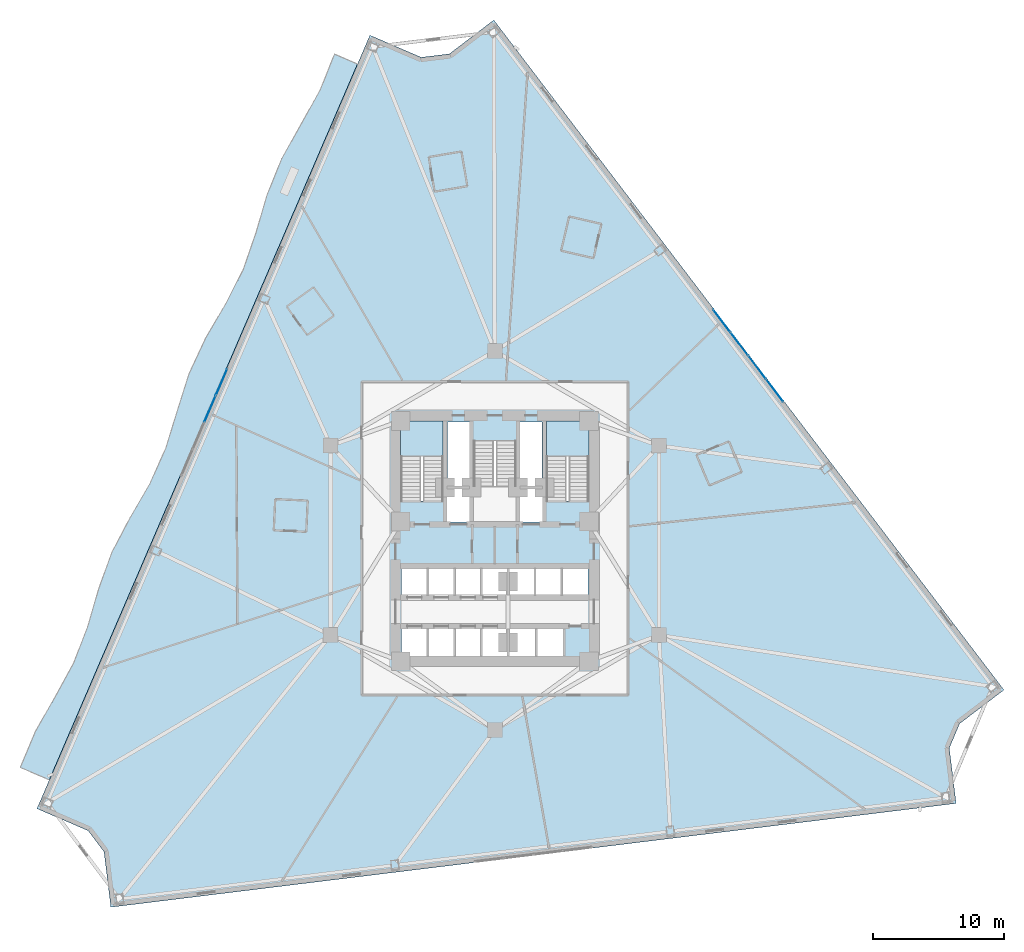
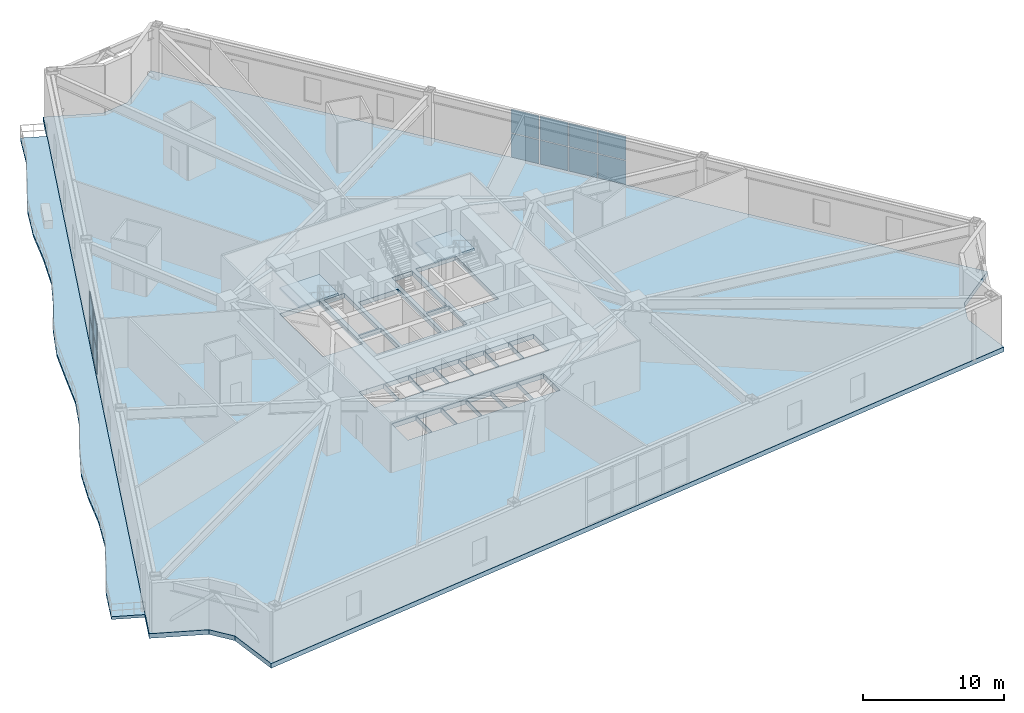
# One storey, part 9 of 21: 12 plates, 4 slabs, 4 elements without a shape of their own.
"""IFC4 building model written with IfcOpenShell, lengths in metres."""

from ifc_helpers import new_model, si_unit, direction, frame, origin, origin_2d, place, context, subcontext, project, spatial, polyline, rectangle, outline, extrude, material, layer, layer_set, type_object, element, aggregate, save


model = new_model("IFC4")

# Units and contexts
model_context = context("Model", 3, precision=1e-05, world=origin(), true_north=direction((0.0, 1.0)))
body_context = subcontext(model_context, "Body", "Model", "MODEL_VIEW")
ifc_project = project(units=[si_unit("LENGTHUNIT", "METRE"), si_unit("AREAUNIT", "SQUARE_METRE"), si_unit("VOLUMEUNIT", "CUBIC_METRE"), si_unit("PLANEANGLEUNIT", "RADIAN"), si_unit("MASSUNIT", "GRAM", prefix="KILO")], contexts=[model_context])

# Site, building, storey
site_placement = place(None, origin())
site = spatial("IfcSite", under=ifc_project, at=site_placement, CompositionType="ELEMENT")
building_placement = place(site_placement, origin())
building = spatial("IfcBuilding", under=site, at=building_placement, Name="Apsidion Concourse Tower", CompositionType="ELEMENT")
storey_placement = place(building_placement, frame((0.0, 0.0, 62.39990234375)))
storey = spatial("IfcBuildingStorey", under=building, at=storey_placement, Name="L13", CompositionType="ELEMENT", Elevation=62.39990234375)

# Curtain wall, plates
ifc_material_1 = material(Name="Insulated laminated low-E glass", Category="glass")
ifc_layer_1 = layer(ifc_material_1, 0.2099609375)
ifc_layer_set_1 = layer_set([ifc_layer_1], Name="Insulated laminated low-E glass")
curtain_wall_type = type_object("IfcCurtainWallType", Name="CW-SYS-03", PredefinedType="NOTDEFINED", material=ifc_layer_set_1)
curtain_wall_1_placement = place(storey_placement, origin())
curtain_wall_1 = element("IfcCurtainWall", 1, at=curtain_wall_1_placement, inside=storey, type_object=curtain_wall_type, Name="L13 Sky Lobby Curtain Wall 1", PredefinedType="NOTDEFINED")
ifc_layer_2 = layer(ifc_material_1, 0.031982421875)
ifc_layer_set_2 = layer_set([ifc_layer_2], Name="Insulated laminated low-E glass")
plate_type = type_object("IfcPlateType", Name="CWP-GLZ-32", PredefinedType="CURTAIN_PANEL", material=ifc_layer_set_2)
plate_1_placement = place(storey_placement, frame((17.3662109375, 16.815673828125, 0.06494140625), z_axis=(0.0, 0.0, 1.0), x_axis=(0.605876567556, -0.795558662128, 0.0)))
plate_1 = element("IfcPlate", 2, at=plate_1_placement, type_object=plate_type, Name="CW-03 panel 1.1", PredefinedType="CURTAIN_PANEL", context=body_context, shape_type="SweptSolid", body=[
    extrude(rectangle(XDim=2.14453125, YDim=0.031982421875, at=origin_2d()), origin(), (0.0, 0.0, 1.0), 2.052490234375),
])
plate_2_placement = place(storey_placement, frame((17.3662109375, 16.815673828125, 2.1826171875), z_axis=(0.0, 0.0, 1.0), x_axis=(0.605876567556, -0.795558662128, 0.0)))
plate_2 = element("IfcPlate", 3, at=plate_2_placement, type_object=plate_type, Name="CW-03 panel 1.2", PredefinedType="CURTAIN_PANEL", context=body_context, shape_type="SweptSolid", body=[
    extrude(rectangle(XDim=2.14453125, YDim=0.031982421875, at=origin_2d()), origin(), (0.0, 0.0, 1.0), 2.052490234375),
])
plate_3_placement = place(storey_placement, frame((18.71484375, 15.044921875, 0.06494140625), z_axis=(0.0, 0.0, 1.0), x_axis=(0.605876567556, -0.795558662128, 0.0)))
plate_3 = element("IfcPlate", 4, at=plate_3_placement, type_object=plate_type, Name="CW-03 panel 2.1", PredefinedType="CURTAIN_PANEL", context=body_context, shape_type="SweptSolid", body=[
    extrude(rectangle(XDim=2.177001953125, YDim=0.031982421875, at=origin_2d()), origin(), (0.0, 0.0, 1.0), 2.052490234375),
])
plate_4_placement = place(storey_placement, frame((18.71484375, 15.044921875, 2.1826171875), z_axis=(0.0, 0.0, 1.0), x_axis=(0.605876567556, -0.795558662128, 0.0)))
plate_4 = element("IfcPlate", 5, at=plate_4_placement, type_object=plate_type, Name="CW-03 panel 2.2", PredefinedType="CURTAIN_PANEL", context=body_context, shape_type="SweptSolid", body=[
    extrude(rectangle(XDim=2.177001953125, YDim=0.031982421875, at=origin_2d()), origin(), (0.0, 0.0, 1.0), 2.052490234375),
])
plate_5_placement = place(storey_placement, frame((20.0732421875, 13.26123046875, 0.06494140625), z_axis=(0.0, 0.0, 1.0), x_axis=(0.605876567556, -0.795558662128, 0.0)))
plate_5 = element("IfcPlate", 6, at=plate_5_placement, type_object=plate_type, Name="CW-03 panel 3.1", PredefinedType="CURTAIN_PANEL", context=body_context, shape_type="SweptSolid", body=[
    extrude(rectangle(XDim=2.177001953125, YDim=0.031982421875, at=origin_2d()), origin(), (0.0, 0.0, 1.0), 2.052490234375),
])
plate_6_placement = place(storey_placement, frame((20.0732421875, 13.26123046875, 2.1826171875), z_axis=(0.0, 0.0, 1.0), x_axis=(0.605876567556, -0.795558662128, 0.0)))
plate_6 = element("IfcPlate", 7, at=plate_6_placement, type_object=plate_type, Name="CW-03 panel 3.2", PredefinedType="CURTAIN_PANEL", context=body_context, shape_type="SweptSolid", body=[
    extrude(rectangle(XDim=2.177001953125, YDim=0.031982421875, at=origin_2d()), origin(), (0.0, 0.0, 1.0), 2.052490234375),
])
plate_7_placement = place(storey_placement, frame((21.421875, 11.490478515625, 0.06494140625), z_axis=(0.0, 0.0, 1.0), x_axis=(0.605876567556, -0.795558662128, 0.0)))
plate_7 = element("IfcPlate", 8, at=plate_7_placement, type_object=plate_type, Name="CW-03 panel 4.1", PredefinedType="CURTAIN_PANEL", context=body_context, shape_type="SweptSolid", body=[
    extrude(rectangle(XDim=2.14453125, YDim=0.031982421875, at=origin_2d()), origin(), (0.0, 0.0, 1.0), 2.052490234375),
])
plate_8_placement = place(storey_placement, frame((21.421875, 11.490478515625, 2.1826171875), z_axis=(0.0, 0.0, 1.0), x_axis=(0.605876567556, -0.795558662128, 0.0)))
plate_8 = element("IfcPlate", 9, at=plate_8_placement, type_object=plate_type, Name="CW-03 panel 4.2", PredefinedType="CURTAIN_PANEL", context=body_context, shape_type="SweptSolid", body=[
    extrude(rectangle(XDim=2.14453125, YDim=0.031982421875, at=origin_2d()), origin(), (0.0, 0.0, 1.0), 2.052490234375),
])
aggregate(curtain_wall_1, [plate_1, plate_2, plate_3, plate_4, plate_5, plate_6, plate_7, plate_8])

curtain_wall_2_placement = place(storey_placement, origin())
curtain_wall_2 = element("IfcCurtainWall", 10, at=curtain_wall_2_placement, inside=storey, type_object=curtain_wall_type, Name="L13 Sky Lobby Curtain Wall 9", PredefinedType="NOTDEFINED")
plate_9_placement = place(storey_placement, frame((-21.798583984375, 10.070556640625, 0.06494140625), z_axis=(0.0, 0.0, 1.0), x_axis=(0.395419285879, 0.918500728554, 0.0)))
plate_9 = element("IfcPlate", 11, at=plate_9_placement, type_object=plate_type, Name="CW-03 panel 3.1", PredefinedType="CURTAIN_PANEL", context=body_context, shape_type="SweptSolid", body=[
    extrude(rectangle(XDim=2.177001953125, YDim=0.031982421875, at=origin_2d()), origin(), (0.0, 0.0, 1.0), 2.052490234375),
])
plate_10_placement = place(storey_placement, frame((-21.798583984375, 10.070556640625, 2.1826171875), z_axis=(0.0, 0.0, 1.0), x_axis=(0.395419285879, 0.918500728554, 0.0)))
plate_10 = element("IfcPlate", 12, at=plate_10_placement, type_object=plate_type, Name="CW-03 panel 3.2", PredefinedType="CURTAIN_PANEL", context=body_context, shape_type="SweptSolid", body=[
    extrude(rectangle(XDim=2.177001953125, YDim=0.031982421875, at=origin_2d()), origin(), (0.0, 0.0, 1.0), 2.052490234375),
])
plate_11_placement = place(storey_placement, frame((-20.91845703125, 12.114990234375, 0.06494140625), z_axis=(0.0, 0.0, 1.0), x_axis=(0.395419285879, 0.918500728554, 0.0)))
plate_11 = element("IfcPlate", 13, at=plate_11_placement, type_object=plate_type, Name="CW-03 panel 4.1", PredefinedType="CURTAIN_PANEL", context=body_context, shape_type="SweptSolid", body=[
    extrude(rectangle(XDim=2.14453125, YDim=0.031982421875, at=origin_2d()), origin(), (0.0, 0.0, 1.0), 2.052490234375),
])
plate_12_placement = place(storey_placement, frame((-20.91845703125, 12.114990234375, 2.1826171875), z_axis=(0.0, 0.0, 1.0), x_axis=(0.395419285879, 0.918500728554, 0.0)))
plate_12 = element("IfcPlate", 14, at=plate_12_placement, type_object=plate_type, Name="CW-03 panel 4.2", PredefinedType="CURTAIN_PANEL", context=body_context, shape_type="SweptSolid", body=[
    extrude(rectangle(XDim=2.14453125, YDim=0.031982421875, at=origin_2d()), origin(), (0.0, 0.0, 1.0), 2.052490234375),
])
aggregate(curtain_wall_2, [plate_9, plate_10, plate_11, plate_12])

# Slab
ifc_material_2 = material(Name="Concrete C50/60", Category="concrete")
ifc_layer_3 = layer(ifc_material_2, 0.39990234375)
ifc_layer_set_3 = layer_set([ifc_layer_3], Name="Concrete C50/60")
slab_type_1 = type_object("IfcSlabType", Name="SL-FLR-400", PredefinedType="FLOOR", material=ifc_layer_set_3)
slab_1_placement = place(storey_placement, frame((0.0, 0.0, -0.39990234375)))
element("IfcSlab", 15, at=slab_1_placement, inside=storey, type_object=slab_type_1, Name="L13 Structural Floor Slab", PredefinedType="FLOOR", context=body_context, shape_type="SweptSolid", body=[
    extrude(outline(polyline([(-0.077392578125, 39.835693359375), (-3.478271484375, 37.24560546875), (-5.6357421875, 36.980712890625), (-9.56201171875, 38.671142578125), (-35.050048828125, -20.5341796875), (-31.123779296875, -22.224365234375), (-29.914794921875, -23.83740234375), (-29.393798828125, -28.080078125), (35.313720703125, -20.13525390625), (34.792724609375, -15.89208984375), (35.57568359375, -14.03466796875), (38.9765625, -11.444580078125), (-0.077392578125, 39.835693359375)]), holes=[polyline([(-3.949951171875, 3.0), (-3.949951171875, 9.14990234375), (-7.199951171875, 9.14990234375), (-7.199951171875, 3.0), (-3.949951171875, 3.0)]), polyline([(7.199951171875, 3.0), (7.199951171875, 9.14990234375), (3.949951171875, 9.14990234375), (3.949951171875, 3.0), (7.199951171875, 3.0)]), polyline([(-1.625, 7.60009765625), (-1.625, 1.449951171875), (1.625, 1.449951171875), (1.625, 7.60009765625), (-1.625, 7.60009765625)]), polyline([(-7.14501953125, -4.300048828125), (-5.155029296875, -4.300048828125), (-5.155029296875, -2.050048828125), (-7.14501953125, -2.050048828125), (-7.14501953125, -4.300048828125)]), polyline([(-5.094970703125, -4.300048828125), (-3.10498046875, -4.300048828125), (-3.10498046875, -2.050048828125), (-5.094970703125, -2.050048828125), (-5.094970703125, -4.300048828125)]), polyline([(-3.044921875, -4.300048828125), (-1.054931640625, -4.300048828125), (-1.054931640625, -2.050048828125), (-3.044921875, -2.050048828125), (-3.044921875, -4.300048828125)]), polyline([(-0.9951171875, -4.300048828125), (0.9951171875, -4.300048828125), (0.9951171875, -2.050048828125), (-0.9951171875, -2.050048828125), (-0.9951171875, -4.300048828125)]), polyline([(1.054931640625, -4.300048828125), (3.044921875, -4.300048828125), (3.044921875, -2.050048828125), (1.054931640625, -2.050048828125), (1.054931640625, -4.300048828125)]), polyline([(3.10498046875, -4.300048828125), (5.094970703125, -4.300048828125), (5.094970703125, -2.050048828125), (3.10498046875, -2.050048828125), (3.10498046875, -4.300048828125)]), polyline([(5.155029296875, -4.300048828125), (7.14501953125, -4.300048828125), (7.14501953125, -2.050048828125), (5.155029296875, -2.050048828125), (5.155029296875, -4.300048828125)]), polyline([(-7.14501953125, -8.949951171875), (-5.155029296875, -8.949951171875), (-5.155029296875, -6.64990234375), (-7.14501953125, -6.64990234375), (-7.14501953125, -8.949951171875)]), polyline([(-5.094970703125, -8.949951171875), (-3.10498046875, -8.949951171875), (-3.10498046875, -6.64990234375), (-5.094970703125, -6.64990234375), (-5.094970703125, -8.949951171875)]), polyline([(-3.044921875, -8.949951171875), (-1.054931640625, -8.949951171875), (-1.054931640625, -6.64990234375), (-3.044921875, -6.64990234375), (-3.044921875, -8.949951171875)]), polyline([(-0.9951171875, -8.949951171875), (0.9951171875, -8.949951171875), (0.9951171875, -6.64990234375), (-0.9951171875, -6.64990234375), (-0.9951171875, -8.949951171875)]), polyline([(1.044921875, -9.0), (3.155029296875, -9.0), (3.155029296875, -6.64990234375), (1.044921875, -6.64990234375), (1.044921875, -9.0)]), polyline([(3.195068359375, -9.0), (5.304931640625, -9.0), (5.304931640625, -6.64990234375), (3.195068359375, -6.64990234375), (3.195068359375, -9.0)]), polyline([(-3.7099609375, 1.39990234375), (-1.85009765625, 1.39990234375), (-1.85009765625, 4.0), (-3.7099609375, 4.0), (-3.7099609375, 1.39990234375)]), polyline([(1.85009765625, 1.39990234375), (3.7099609375, 1.39990234375), (3.7099609375, 4.0), (1.85009765625, 4.0), (1.85009765625, 1.39990234375)]), polyline([(-3.6201171875, 4.14990234375), (-1.93994140625, 4.14990234375), (-1.93994140625, 9.050048828125), (-3.6201171875, 9.050048828125), (-3.6201171875, 4.14990234375)]), polyline([(1.93994140625, 4.14990234375), (3.6201171875, 4.14990234375), (3.6201171875, 9.050048828125), (1.93994140625, 9.050048828125), (1.93994140625, 4.14990234375)])]), origin(), (0.0, 0.0, 1.0), 0.39990234375),
])

# Stair, slab
ifc_material_3 = material(Name="Precast concrete C40/50", Category="concrete")
stair_type = type_object("IfcStairType", Name="ST-DL-1550", PredefinedType="HALF_TURN_STAIR", material=ifc_material_3)
stair_1_placement = place(storey_placement, origin())
stair_1 = element("IfcStair", 16, at=stair_1_placement, inside=storey, type_object=stair_type, Name="L13 Protected Core Exit Stair ST1", PredefinedType="HALF_TURN_STAIR")
ifc_layer_4 = layer(ifc_material_2, 0.199951171875)
ifc_layer_set_4 = layer_set([ifc_layer_4], Name="Concrete C50/60")
slab_type_2 = type_object("IfcSlabType", Name="SL-ST-LAND-200", PredefinedType="LANDING", material=ifc_layer_set_4)
slab_2_placement = place(storey_placement, frame((0.0, 0.0, 2.10009765625)))
slab_2 = element("IfcSlab", 17, at=slab_2_placement, type_object=slab_type_2, Name="ST1 landing 1", PredefinedType="LANDING", context=body_context, shape_type="SweptSolid", body=[
    extrude(outline(polyline([(-3.949951171875, 6.419921875), (-3.949951171875, 9.14990234375), (-7.199951171875, 9.14990234375), (-7.199951171875, 6.419921875), (-3.949951171875, 6.419921875)])), origin(), (0.0, 0.0, 1.0), 0.199951171875),
])
aggregate(stair_1, [slab_2])

stair_2_placement = place(storey_placement, origin())
stair_2 = element("IfcStair", 18, at=stair_2_placement, inside=storey, type_object=stair_type, Name="L13 Protected Core Exit Stair ST2", PredefinedType="HALF_TURN_STAIR")
slab_3_placement = place(storey_placement, frame((0.0, 0.0, 2.10009765625)))
slab_3 = element("IfcSlab", 19, at=slab_3_placement, type_object=slab_type_2, Name="ST2 landing 1", PredefinedType="LANDING", context=body_context, shape_type="SweptSolid", body=[
    extrude(outline(polyline([(7.199951171875, 6.419921875), (7.199951171875, 9.14990234375), (3.949951171875, 9.14990234375), (3.949951171875, 6.419921875), (7.199951171875, 6.419921875)])), origin(), (0.0, 0.0, 1.0), 0.199951171875),
])
aggregate(stair_2, [slab_3])

# Slab
ifc_layer_5 = layer(ifc_material_2, 0.239990234375)
ifc_layer_set_5 = layer_set([ifc_layer_5], Name="Concrete C50/60")
slab_type_3 = type_object("IfcSlabType", Name="SL-TERR-240", PredefinedType="ROOF", material=ifc_layer_set_5)
slab_4_placement = place(storey_placement, frame((0.0, 0.0, -0.239990234375)))
element("IfcSlab", 20, at=slab_4_placement, inside=storey, type_object=slab_type_3, Name="L13 Face 1 Spiral Sky-Terrace Slab", PredefinedType="ROOF", context=body_context, shape_type="SweptSolid", body=[
    extrude(outline(polyline([(-10.510986328125, 36.466796875), (-11.690673828125, 33.726806640625), (-12.8701171875, 30.987060546875), (-14.049560546875, 28.247314453125), (-15.22900390625, 25.50732421875), (-16.40869140625, 22.767578125), (-17.588134765625, 20.02783203125), (-18.767578125, 17.2880859375), (-19.947021484375, 14.548095703125), (-21.126708984375, 11.808349609375), (-22.30615234375, 9.068603515625), (-23.485595703125, 6.32861328125), (-24.6650390625, 3.5888671875), (-25.844482421875, 0.84912109375), (-27.024169921875, -1.890869140625), (-28.20361328125, -4.630615234375), (-29.383056640625, -7.370361328125), (-30.5625, -10.110107421875), (-31.7421875, -12.85009765625), (-32.921630859375, -15.58984375), (-34.10107421875, -18.32958984375), (-36.32275390625, -17.373291015625), (-35.165771484375, -14.623779296875), (-33.679443359375, -12.01611328125), (-32.239013671875, -9.388671875), (-31.1630859375, -6.60400390625), (-30.325439453125, -3.71728515625), (-29.30810546875, -0.90771484375), (-27.912841796875, 1.739501953125), (-26.4033203125, 4.337158203125), (-25.18310546875, 7.0595703125), (-24.3017578125, 9.927490234375), (-23.394775390625, 12.784912109375), (-22.12939453125, 15.487548828125), (-20.610107421875, 18.081298828125), (-19.252685546875, 20.744384765625), (-18.2744140625, 23.57080078125), (-17.42919921875, 26.45458984375), (-16.308837890625, 29.2197265625), (-14.8408203125, 31.83544921875), (-13.377685546875, 34.453125), (-12.266357421875, 37.222412109375), (-10.510986328125, 36.466796875)])), origin(), (0.0, 0.0, 1.0), 0.239990234375),
])

save(model, "model.ifc")
